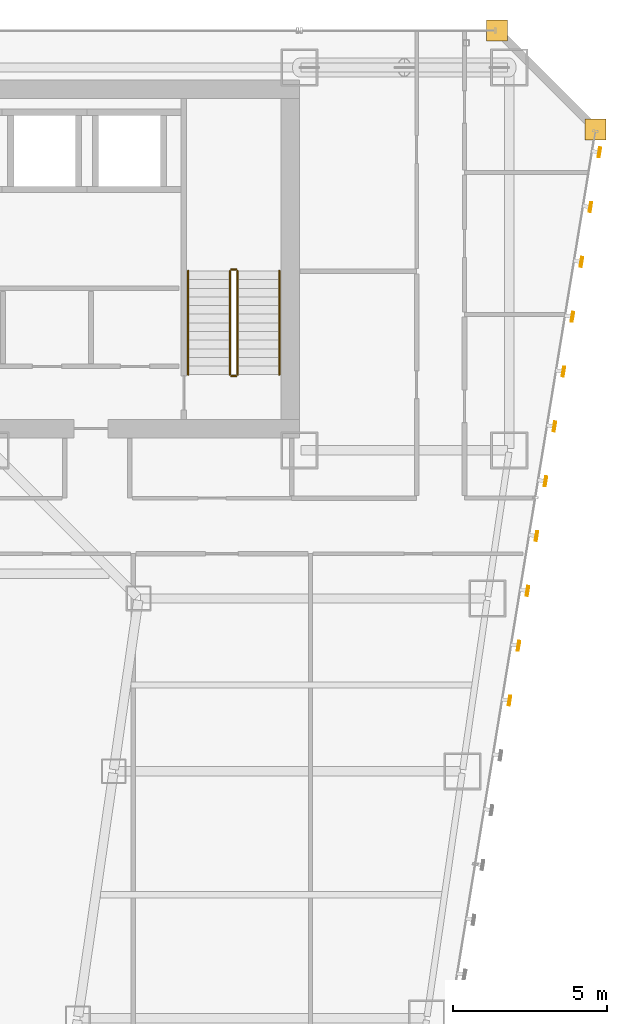
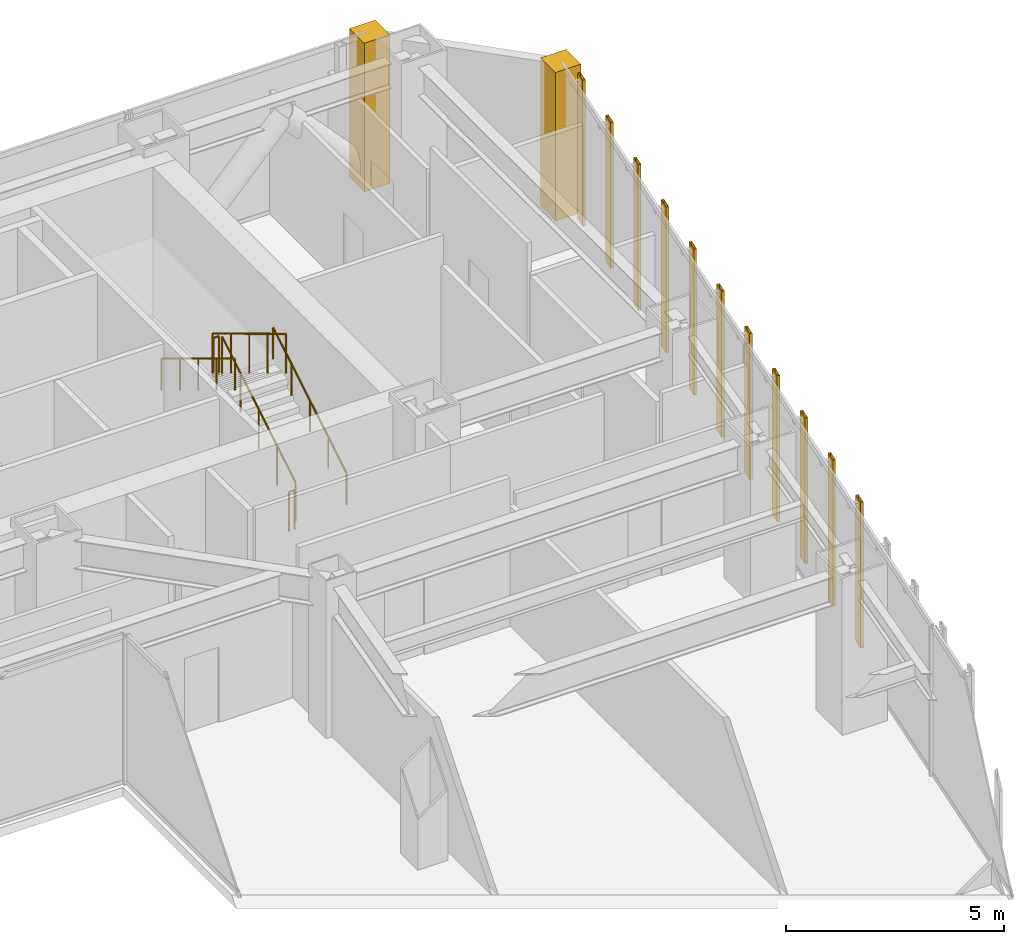
# One storey, part 47 of 47: 11 shading devices, 6 railings, 2 coverings.
"""IFC4 building model written with IfcOpenShell, lengths in metres."""

from ifc_helpers import new_model, si_unit, direction, frame, origin, origin_2d, place, context, subcontext, project, spatial, polyline, hollow_rectangle, circle, outline, extrude, material, layer, layer_set, material_profile, profile_set, type_object, element, save


model = new_model("IFC4")

# Units and contexts
model_context = context("Model", 3, precision=1e-05, world=origin(), true_north=direction((0.0, 1.0)))
body_context = subcontext(model_context, "Body", "Model", "MODEL_VIEW")
ifc_project = project(units=[si_unit("LENGTHUNIT", "METRE"), si_unit("AREAUNIT", "SQUARE_METRE"), si_unit("VOLUMEUNIT", "CUBIC_METRE"), si_unit("PLANEANGLEUNIT", "RADIAN"), si_unit("MASSUNIT", "GRAM", prefix="KILO")], contexts=[model_context])

# Site, building, storey
site_placement = place(None, origin())
site = spatial("IfcSite", under=ifc_project, at=site_placement, CompositionType="ELEMENT")
building_placement = place(site_placement, origin())
building = spatial("IfcBuilding", under=site, at=building_placement, Name="Saevonmaru Cultural Tower", CompositionType="ELEMENT")
storey_placement = place(building_placement, frame((0.0, 0.0, 69.199951171875)))
storey = spatial("IfcBuildingStorey", under=building, at=storey_placement, Name="L14", CompositionType="ELEMENT", Elevation=69.199951171875)

# Coverings
ifc_material_1 = material(Name="Satin Bronze Anodised Aluminium", Category="aluminium")
ifc_layer = layer(ifc_material_1, 0.679931640625, Name="Satin Bronze Anodised Aluminium")
ifc_layer_set = layer_set([ifc_layer], Name="Satin Bronze Anodised Aluminium")
covering_type = type_object("IfcCoveringType", Name="CV-CORNER-CLAD", PredefinedType="CLADDING", material=ifc_layer_set)
covering_1_placement = place(storey_placement, origin())
element("IfcCovering", 1, at=covering_1_placement, inside=storey, type_object=covering_type, Name="L14 Tower Bronze Corner Cladding Pier 9", PredefinedType="CLADDING", context=body_context, shape_type="SweptSolid", body=[
    extrude(outline(polyline([(55.659912109375, 52.4599609375), (56.340087890625, 52.4599609375), (56.340087890625, 53.139892578125), (55.659912109375, 53.139892578125), (55.659912109375, 52.4599609375)])), origin(), (0.0, 0.0, 1.0), 4.150146484375),
])
covering_2_placement = place(storey_placement, origin())
element("IfcCovering", 2, at=covering_2_placement, inside=storey, type_object=covering_type, Name="L14 Tower Bronze Corner Cladding Pier 10", PredefinedType="CLADDING", context=body_context, shape_type="SweptSolid", body=[
    extrude(outline(polyline([(52.4599609375, 55.659912109375), (53.139892578125, 55.659912109375), (53.139892578125, 56.340087890625), (52.4599609375, 56.340087890625), (52.4599609375, 55.659912109375)])), origin(), (0.0, 0.0, 1.0), 4.150146484375),
])

# Railings
ifc_material_2 = material(Name="Architectural Painted Steel", Category="steel")
railing_type_1 = type_object("IfcRailingType", Name="RL-STAIR-GUARD", PredefinedType="GUARDRAIL", material=ifc_material_2)
railing_1_placement = place(storey_placement, frame((44.39990234375, 44.85009765625, 0.169189453125)))
element("IfcRailing", 3, at=railing_1_placement, inside=storey, type_object=railing_type_1, Name="L14 ST-2 stair guard 1", PredefinedType="GUARDRAIL", context=body_context, shape_type="SweptSolid", body=[
    extrude(circle(Radius=0.02392578125, at=origin_2d()), frame((0.0, 0.0, 1.09619140625), z_axis=(0.0, 0.855820338506, 0.51727318527), x_axis=(-1.0, 0.0, 0.0)), (0.0, 0.0, 1.0), 3.92578125),
    extrude(circle(Radius=0.02099609375, at=origin_2d()), origin(), (0.0, 0.0, 1.0), 1.072021484375),
    extrude(circle(Radius=0.02099609375, at=origin_2d()), frame((0.0, 0.83984375, 0.5078125)), (0.0, 0.0, 1.0), 1.072021484375),
    extrude(circle(Radius=0.02099609375, at=origin_2d()), frame((0.0, 1.679931640625, 1.015380859375)), (0.0, 0.0, 1.0), 1.072021484375),
    extrude(circle(Radius=0.02099609375, at=origin_2d()), frame((0.0, 2.52001953125, 1.52294921875)), (0.0, 0.0, 1.0), 1.072021484375),
    extrude(circle(Radius=0.02099609375, at=origin_2d()), frame((0.0, 3.35986328125, 2.03076171875)), (0.0, 0.0, 1.0), 1.072021484375),
])
railing_2_placement = place(storey_placement, frame((44.35009765625, 48.260009765625, 2.199951171875)))
element("IfcRailing", 4, at=railing_2_placement, inside=storey, type_object=railing_type_1, Name="L14 ST-2 stair guard 2", PredefinedType="GUARDRAIL", context=body_context, shape_type="SweptSolid", body=[
    extrude(circle(Radius=0.02392578125, at=origin_2d()), frame((0.0, 0.0, 1.09619140625), z_axis=(-1.0, 0.0, 0.0), x_axis=(0.0, -1.0, 0.0)), (0.0, 0.0, 1.0), 0.150146484375),
    extrude(circle(Radius=0.02099609375, at=origin_2d()), origin(), (0.0, 0.0, 1.0), 1.072021484375),
    extrude(circle(Radius=0.02099609375, at=origin_2d()), frame((-0.150146484375, 0.0, 0.0)), (0.0, 0.0, 1.0), 1.072021484375),
])
railing_3_placement = place(storey_placement, frame((44.14990234375, 48.2099609375, 2.369384765625)))
element("IfcRailing", 5, at=railing_3_placement, inside=storey, type_object=railing_type_1, Name="L14 ST-2 stair guard 3", PredefinedType="GUARDRAIL", context=body_context, shape_type="SweptSolid", body=[
    extrude(circle(Radius=0.02392578125, at=origin_2d()), frame((0.0, 0.0, 1.09619140625), z_axis=(0.0, -0.855820338506, 0.51727318527), x_axis=(1.0, 0.0, 0.0)), (0.0, 0.0, 1.0), 3.92578125),
    extrude(circle(Radius=0.02099609375, at=origin_2d()), origin(), (0.0, 0.0, 1.0), 1.072021484375),
    extrude(circle(Radius=0.02099609375, at=origin_2d()), frame((0.0, -0.83984375, 0.5078125)), (0.0, 0.0, 1.0), 1.072021484375),
    extrude(circle(Radius=0.02099609375, at=origin_2d()), frame((0.0, -1.679931640625, 1.015380859375)), (0.0, 0.0, 1.0), 1.072021484375),
    extrude(circle(Radius=0.02099609375, at=origin_2d()), frame((0.0, -2.52001953125, 1.52294921875)), (0.0, 0.0, 1.0), 1.072021484375),
    extrude(circle(Radius=0.02099609375, at=origin_2d()), frame((0.0, -3.35986328125, 2.03076171875)), (0.0, 0.0, 1.0), 1.072021484375),
])
railing_4_placement = place(storey_placement, frame((44.35009765625, 44.800048828125, 0.0)))
element("IfcRailing", 6, at=railing_4_placement, inside=storey, type_object=railing_type_1, Name="L14 ST-2 stair guard 4", PredefinedType="GUARDRAIL", context=body_context, shape_type="SweptSolid", body=[
    extrude(circle(Radius=0.02392578125, at=origin_2d()), frame((0.0, 0.0, 1.09619140625), z_axis=(-1.0, 0.0, 0.0), x_axis=(0.0, -1.0, 0.0)), (0.0, 0.0, 1.0), 0.150146484375),
    extrude(circle(Radius=0.02099609375, at=origin_2d()), origin(), (0.0, 0.0, 1.0), 1.072021484375),
    extrude(circle(Radius=0.02099609375, at=origin_2d()), frame((-0.150146484375, 0.0, 0.0)), (0.0, 0.0, 1.0), 1.072021484375),
])
railing_type_2 = type_object("IfcRailingType", Name="RL-STAIR-HANDRAIL", PredefinedType="HANDRAIL", material=ifc_material_1)
railing_5_placement = place(storey_placement, frame((45.75, 44.85009765625, 0.169189453125)))
element("IfcRailing", 7, at=railing_5_placement, inside=storey, type_object=railing_type_2, Name="L14 ST-2 stair handrail 1", PredefinedType="HANDRAIL", context=body_context, shape_type="SweptSolid", body=[
    extrude(circle(Radius=0.02392578125, at=origin_2d()), frame((0.0, 0.0, 0.8759765625), z_axis=(0.0, 0.855820338506, 0.51727318527), x_axis=(-1.0, 0.0, 0.0)), (0.0, 0.0, 1.0), 3.92578125),
    extrude(circle(Radius=0.02099609375, at=origin_2d()), origin(), (0.0, 0.0, 1.0), 0.851806640625),
    extrude(circle(Radius=0.02099609375, at=origin_2d()), frame((0.0, 0.83984375, 0.5078125)), (0.0, 0.0, 1.0), 0.851806640625),
    extrude(circle(Radius=0.02099609375, at=origin_2d()), frame((0.0, 1.679931640625, 1.015380859375)), (0.0, 0.0, 1.0), 0.851806640625),
    extrude(circle(Radius=0.02099609375, at=origin_2d()), frame((0.0, 2.52001953125, 1.52294921875)), (0.0, 0.0, 1.0), 0.851806640625),
    extrude(circle(Radius=0.02099609375, at=origin_2d()), frame((0.0, 3.35986328125, 2.03076171875)), (0.0, 0.0, 1.0), 0.851806640625),
])
railing_6_placement = place(storey_placement, frame((42.800048828125, 48.2099609375, 2.369384765625)))
element("IfcRailing", 8, at=railing_6_placement, inside=storey, type_object=railing_type_2, Name="L14 ST-2 stair handrail 2", PredefinedType="HANDRAIL", context=body_context, shape_type="SweptSolid", body=[
    extrude(circle(Radius=0.02392578125, at=origin_2d()), frame((0.0, 0.0, 0.8759765625), z_axis=(0.0, -0.855820338506, 0.51727318527), x_axis=(1.0, 0.0, 0.0)), (0.0, 0.0, 1.0), 3.92578125),
    extrude(circle(Radius=0.02099609375, at=origin_2d()), origin(), (0.0, 0.0, 1.0), 0.851806640625),
    extrude(circle(Radius=0.02099609375, at=origin_2d()), frame((0.0, -0.83984375, 0.5078125)), (0.0, 0.0, 1.0), 0.851806640625),
    extrude(circle(Radius=0.02099609375, at=origin_2d()), frame((0.0, -1.679931640625, 1.015380859375)), (0.0, 0.0, 1.0), 0.851806640625),
    extrude(circle(Radius=0.02099609375, at=origin_2d()), frame((0.0, -2.52001953125, 1.52294921875)), (0.0, 0.0, 1.0), 0.851806640625),
    extrude(circle(Radius=0.02099609375, at=origin_2d()), frame((0.0, -3.35986328125, 2.03076171875)), (0.0, 0.0, 1.0), 0.851806640625),
])

# Shading devices
ifc_material_profile = material_profile(ifc_material_1, hollow_rectangle(XDim=0.070068359375, YDim=0.320068359375, WallThickness=0.0048828125, at=origin_2d()), Name="FIN-320x70")
ifc_profile_set = profile_set([ifc_material_profile], Name="Satin Bronze Anodised Aluminium")
shading_device_type = type_object("IfcShadingDeviceType", Name="SHD-FIN-320", PredefinedType="JALOUSIE", material=ifc_profile_set)
for number, where, z_axis, x_axis, name in (
    (9, (53.210205078125, 34.2900390625, 0.050048828125), (0.0, 0.0, 1.0), (0.986827496189, -0.161776057456, 0.0), "L14 Art Deco Sawtooth Bronze Fin E8-17"),
    (10, (53.501220703125, 36.06640625, 0.050048828125), (0.0, 0.0, 1.0), (0.986827496189, -0.161776057456, 0.0), "L14 Art Deco Sawtooth Bronze Fin E8-18"),
    (11, (53.792236328125, 37.8427734375, 0.050048828125), (0.0, 0.0, 1.0), (0.986827496189, -0.161776057456, 0.0), "L14 Art Deco Sawtooth Bronze Fin E8-19"),
    (12, (54.083251953125, 39.618896484375, 0.050048828125), (0.0, 0.0, 1.0), (0.986827496189, -0.161776057456, 0.0), "L14 Art Deco Sawtooth Bronze Fin E8-20"),
    (13, (54.37451171875, 41.3955078125, 0.050048828125), (0.0, 0.0, 1.0), (0.986827496189, -0.161776057456, 0.0), "L14 Art Deco Sawtooth Bronze Fin E8-21"),
    (14, (54.665283203125, 43.171630859375, 0.050048828125), (0.0, 0.0, 1.0), (0.986827496189, -0.161776057456, 0.0), "L14 Art Deco Sawtooth Bronze Fin E8-22"),
    (15, (54.95654296875, 44.947998046875, 0.050048828125), (0.0, 0.0, 1.0), (0.986827496189, -0.161776057456, 0.0), "L14 Art Deco Sawtooth Bronze Fin E8-23"),
    (16, (55.24755859375, 46.724365234375, 0.050048828125), (0.0, 0.0, 1.0), (0.986827496189, -0.161776057456, 0.0), "L14 Art Deco Sawtooth Bronze Fin E8-24"),
    (17, (55.538818359375, 48.50048828125, 0.050048828125), (0.0, 0.0, 1.0), (0.986827496189, -0.161776057456, 0.0), "L14 Art Deco Sawtooth Bronze Fin E8-25"),
    (18, (55.829833984375, 50.27685546875, 0.050048828125), (0.0, 0.0, 1.0), (0.986827496189, -0.161776057456, 0.0), "L14 Art Deco Sawtooth Bronze Fin E8-26"),
    (19, (56.120849609375, 52.05322265625, 0.050048828125), (0.0, 0.0, 1.0), (0.986827496189, -0.161776057456, 0.0), "L14 Art Deco Sawtooth Bronze Fin E8-27"),
):
    element("IfcShadingDevice", number, at=place(storey_placement, frame(where, z_axis=z_axis, x_axis=x_axis)), inside=storey, type_object=shading_device_type, Name=name, PredefinedType="JALOUSIE", context=body_context, shape_type="SweptSolid", body=[
        extrude(hollow_rectangle(XDim=0.070068359375, YDim=0.320068359375, WallThickness=0.0048828125, at=origin_2d()), origin(), (0.0, 0.0, 1.0), 4.080078125),
    ])

save(model, "model.ifc")
